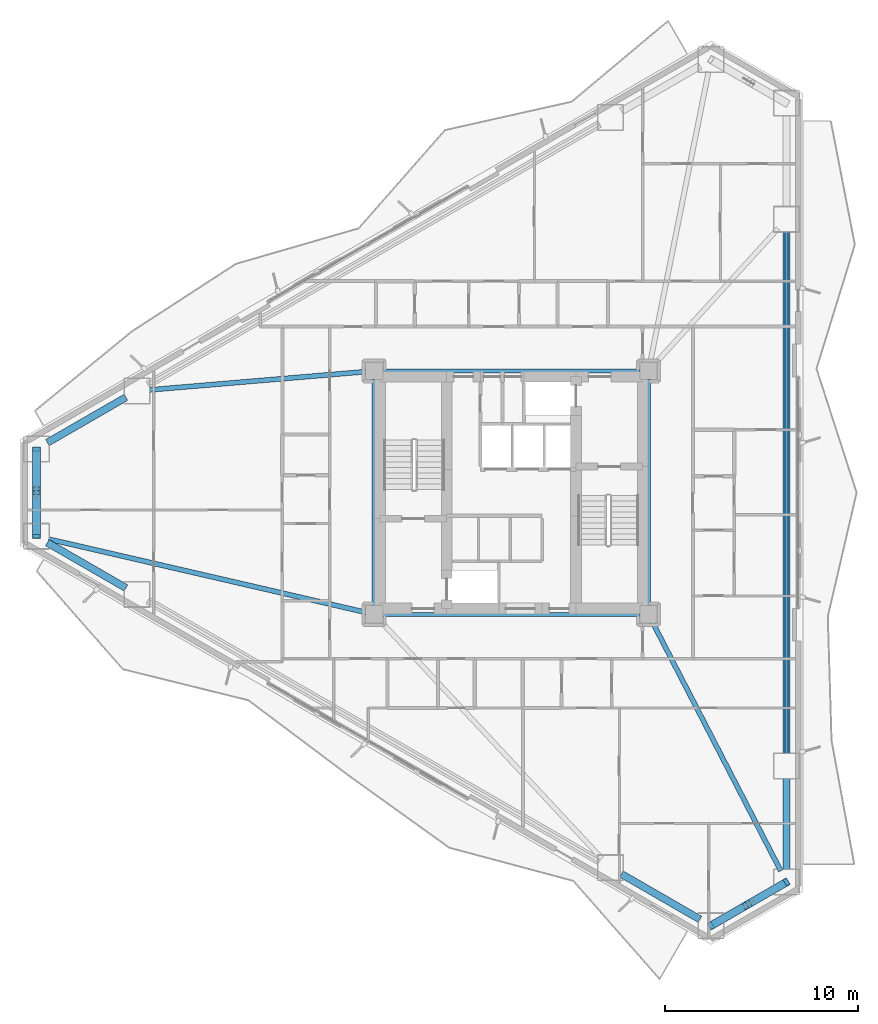
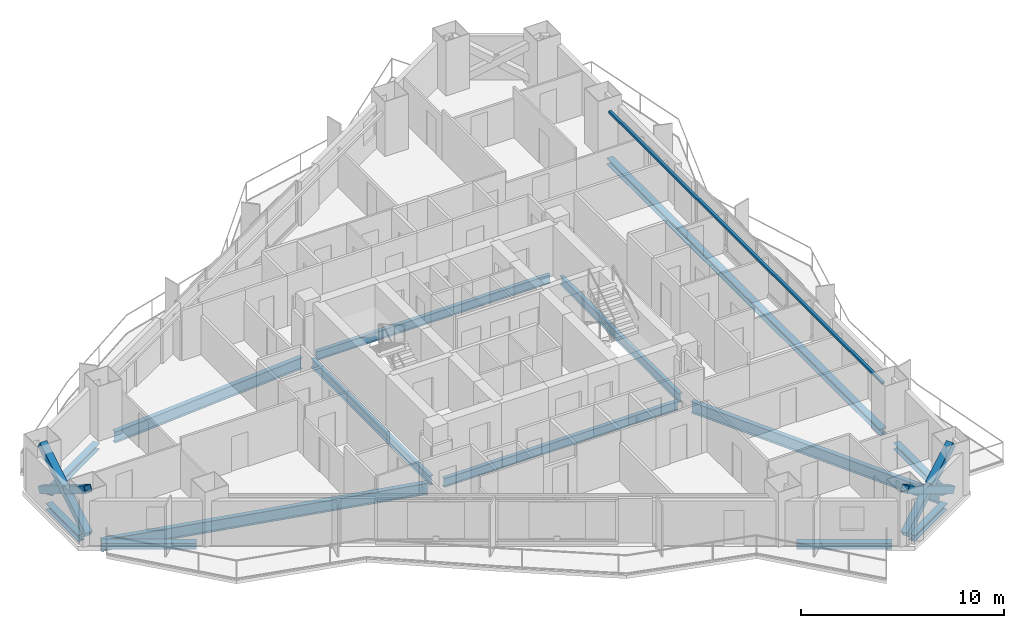
# One storey, part 5 of 19: 15 beams, 6 members.
"""IFC4 building model written with IfcOpenShell, lengths in metres."""

from ifc_helpers import new_model, si_unit, direction, frame, origin, origin_2d, place, context, subcontext, project, spatial, hollow_rectangle, i_section, extrude, material, material_profile, profile_set, type_object, element, save


model = new_model("IFC4")

# Units and contexts
model_context = context("Model", 3, precision=1e-05, world=origin(), true_north=direction((0.0, 1.0)))
body_context = subcontext(model_context, "Body", "Model", "MODEL_VIEW")
ifc_project = project(units=[si_unit("LENGTHUNIT", "METRE"), si_unit("AREAUNIT", "SQUARE_METRE"), si_unit("VOLUMEUNIT", "CUBIC_METRE"), si_unit("PLANEANGLEUNIT", "RADIAN"), si_unit("MASSUNIT", "GRAM", prefix="KILO")], contexts=[model_context])

# Site, building, storey
site_placement = place(None, origin())
site = spatial("IfcSite", under=ifc_project, at=site_placement, CompositionType="ELEMENT")
building_placement = place(site_placement, origin())
building = spatial("IfcBuilding", under=site, at=building_placement, Name="Mersakhor Tower and Convention Hall", CompositionType="ELEMENT")
storey_placement = place(building_placement, frame((0.0, 0.0, 22.5)))
storey = spatial("IfcBuildingStorey", under=building, at=storey_placement, Name="L05", CompositionType="ELEMENT", Elevation=22.5)

# Beams
ifc_material_1 = material(Name="Steel S355", Category="steel")
ifc_material_profile_1 = material_profile(ifc_material_1, i_section(OverallWidth=0.2099609375, OverallDepth=0.53662109375, WebThickness=0.0107421875, FlangeThickness=0.017333984375, at=origin_2d()), Name="UB 533x210x101")
ifc_profile_set_1 = profile_set([ifc_material_profile_1], Name="Steel S355")
beam_type_1 = type_object("IfcBeamType", Name="BM-FB-533", PredefinedType="BEAM", material=ifc_profile_set_1)
beam_1_placement = place(storey_placement, frame((21.89990234375, 20.8798828125, -0.5283203125), z_axis=(0.0, 1.0, 0.0), x_axis=(-1.0, 0.0, 0.0)))
element("IfcBeam", 1, at=beam_1_placement, inside=storey, type_object=beam_type_1, Name="L05 Core Ring Tie Beam CRB-1", PredefinedType="BEAM", context=body_context, shape_type="SweptSolid", body=[
    extrude(i_section(OverallWidth=0.2099609375, OverallDepth=0.53662109375, WebThickness=0.0107421875, FlangeThickness=0.017333984375, at=origin_2d()), origin(), (0.0, 0.0, 1.0), 11.740234375),
])
beam_2_placement = place(storey_placement, frame((22.330078125, 33.050048828125, -0.5283203125), z_axis=(1.0, 0.0, 0.0), x_axis=(0.0, 1.0, 0.0)))
element("IfcBeam", 2, at=beam_2_placement, inside=storey, type_object=beam_type_1, Name="L05 Core Ring Tie Beam CRB-2", PredefinedType="BEAM", context=body_context, shape_type="SweptSolid", body=[
    extrude(i_section(OverallWidth=0.2099609375, OverallDepth=0.53662109375, WebThickness=0.0107421875, FlangeThickness=0.017333984375, at=origin_2d()), origin(), (0.0, 0.0, 1.0), 13.33984375),
])
beam_3_placement = place(storey_placement, frame((36.10009765625, 32.6201171875, -0.5283203125), z_axis=(0.0, -1.0, 0.0), x_axis=(1.0, 0.0, 0.0)))
element("IfcBeam", 3, at=beam_3_placement, inside=storey, type_object=beam_type_1, Name="L05 Core Ring Tie Beam CRB-3", PredefinedType="BEAM", context=body_context, shape_type="SweptSolid", body=[
    extrude(i_section(OverallWidth=0.2099609375, OverallDepth=0.53662109375, WebThickness=0.0107421875, FlangeThickness=0.017333984375, at=origin_2d()), origin(), (0.0, 0.0, 1.0), 11.740234375),
])
beam_4_placement = place(storey_placement, frame((35.669921875, 20.449951171875, -0.5283203125), z_axis=(-1.0, 0.0, 0.0), x_axis=(0.0, -1.0, 0.0)))
element("IfcBeam", 4, at=beam_4_placement, inside=storey, type_object=beam_type_1, Name="L05 Core Ring Tie Beam CRB-4", PredefinedType="BEAM", context=body_context, shape_type="SweptSolid", body=[
    extrude(i_section(OverallWidth=0.2099609375, OverallDepth=0.53662109375, WebThickness=0.0107421875, FlangeThickness=0.017333984375, at=origin_2d()), origin(), (0.0, 0.0, 1.0), 13.33984375),
])
ifc_material_2 = material(Name="Steel S355", Category="steel")
ifc_material_profile_2 = material_profile(ifc_material_2, hollow_rectangle(XDim=0.14990234375, YDim=0.14990234375, WallThickness=0.010009765625, at=origin_2d()), Name="SHS 150x150x10")
ifc_profile_set_2 = profile_set([ifc_material_profile_2], Name="Steel S355")
beam_type_2 = type_object("IfcBeamType", Name="BM-GRT-SHS150", PredefinedType="USERDEFINED", material=ifc_profile_set_2)
beam_5_placement = place(storey_placement, frame((43.25, 40.24951171875, 2.47998046875), z_axis=(0.0, -1.0, 0.0), x_axis=(1.0, 0.0, 0.0)))
element("IfcBeam", 5, at=beam_5_placement, inside=storey, type_object=beam_type_2, Name="L05 Facade Support Girt GRT-F2", ObjectType="GIRT", PredefinedType="USERDEFINED", context=body_context, shape_type="SweptSolid", body=[
    extrude(hollow_rectangle(XDim=0.14990234375, YDim=0.14990234375, WallThickness=0.010009765625, at=origin_2d()), origin(), (0.0, 0.0, 1.0), 26.9990234375),
])
ifc_material_3 = material(Name="Steel S355", Category="steel")
ifc_material_profile_3 = material_profile(ifc_material_3, i_section(OverallWidth=0.25439453125, OverallDepth=0.6875, WebThickness=0.01318359375, FlangeThickness=0.02099609375, at=origin_2d()), Name="UB 686x254x152")
ifc_profile_set_3 = profile_set([ifc_material_profile_3], Name="Steel S355")
beam_type_3 = type_object("IfcBeamType", Name="BM-PR-686", PredefinedType="BEAM", material=ifc_profile_set_3)
beam_6_placement = place(storey_placement, frame((21.471435546875, 33.013916015625, -0.603759765625), z_axis=(-0.996458345442, -0.084087845732, 0.0), x_axis=(0.084087845732, -0.996458345442, 0.0)))
element("IfcBeam", 6, at=beam_6_placement, inside=storey, type_object=beam_type_3, Name="L05 Primary Floor Girder FG-1", PredefinedType="BEAM", context=body_context, shape_type="SweptSolid", body=[
    extrude(i_section(OverallWidth=0.25439453125, OverallDepth=0.6875, WebThickness=0.01318359375, FlangeThickness=0.02099609375, at=origin_2d()), origin(), (0.0, 0.0, 1.0), 11.241943359375),
])
beam_7_placement = place(storey_placement, frame((36.297119140625, 20.06787109375, -0.603759765625), z_axis=(0.458368239331, -0.888762373851, 0.0), x_axis=(0.888762373851, 0.458368239331, 0.0)))
element("IfcBeam", 7, at=beam_7_placement, inside=storey, type_object=beam_type_3, Name="L05 Primary Floor Girder FG-4", PredefinedType="BEAM", context=body_context, shape_type="SweptSolid", body=[
    extrude(i_section(OverallWidth=0.25439453125, OverallDepth=0.6875, WebThickness=0.01318359375, FlangeThickness=0.02099609375, at=origin_2d()), origin(), (0.0, 0.0, 1.0), 14.513671875),
])
beam_8_placement = place(storey_placement, frame((21.48095703125, 20.546875, -0.603759765625), z_axis=(-0.974327224334, 0.225136536175, 0.0), x_axis=(-0.225136536175, -0.974327224334, 0.0)))
element("IfcBeam", 8, at=beam_8_placement, inside=storey, type_object=beam_type_3, Name="L05 Primary Floor Girder FG-6", PredefinedType="BEAM", context=body_context, shape_type="SweptSolid", body=[
    extrude(i_section(OverallWidth=0.25439453125, OverallDepth=0.6875, WebThickness=0.01318359375, FlangeThickness=0.02099609375, at=origin_2d()), origin(), (0.0, 0.0, 1.0), 16.862548828125),
])
ifc_material_4 = material(Name="Steel S355", Category="steel")
ifc_material_profile_4 = material_profile(ifc_material_4, i_section(OverallWidth=0.374755859375, OverallDepth=0.37451171875, WebThickness=0.0166015625, FlangeThickness=0.027099609375, at=origin_2d()), Name="UC 356x368x202")
ifc_profile_set_4 = profile_set([ifc_material_profile_4], Name="Steel S355")
beam_type_4 = type_object("IfcBeamType", Name="BM-SPD-UC356", PredefinedType="SPANDREL", material=ifc_profile_set_4)
beam_9_placement = place(storey_placement, frame((4.980224609375, 29.3369140625, -0.447265625), z_axis=(0.86605407247, 0.499950341091, 0.0), x_axis=(-0.499950341091, 0.86605407247, 0.0)))
element("IfcBeam", 9, at=beam_9_placement, inside=storey, type_object=beam_type_4, Name="L05 Perimeter Spandrel Beam SPB-01", PredefinedType="SPANDREL", context=body_context, shape_type="SweptSolid", body=[
    extrude(i_section(OverallWidth=0.374755859375, OverallDepth=0.37451171875, WebThickness=0.0166015625, FlangeThickness=0.027099609375, at=origin_2d()), origin(), (0.0, 0.0, 1.0), 4.69873046875),
])
beam_10_placement = place(storey_placement, frame((43.25, 40.24951171875, -0.447265625), z_axis=(0.0, -1.0, 0.0), x_axis=(1.0, 0.0, 0.0)))
element("IfcBeam", 10, at=beam_10_placement, inside=storey, type_object=beam_type_4, Name="L05 Perimeter Spandrel Beam SPB-06", PredefinedType="SPANDREL", context=body_context, shape_type="SweptSolid", body=[
    extrude(i_section(OverallWidth=0.374755859375, OverallDepth=0.37451171875, WebThickness=0.0166015625, FlangeThickness=0.027099609375, at=origin_2d()), origin(), (0.0, 0.0, 1.0), 26.9990234375),
])
beam_11_placement = place(storey_placement, frame((43.25, 11.9404296875, -0.447265625), z_axis=(0.0, -1.0, 0.0), x_axis=(1.0, 0.0, 0.0)))
element("IfcBeam", 11, at=beam_11_placement, inside=storey, type_object=beam_type_4, Name="L05 Perimeter Spandrel Beam SPB-07", PredefinedType="SPANDREL", context=body_context, shape_type="SweptSolid", body=[
    extrude(i_section(OverallWidth=0.374755859375, OverallDepth=0.37451171875, WebThickness=0.0166015625, FlangeThickness=0.027099609375, at=origin_2d()), origin(), (0.0, 0.0, 1.0), 4.69873046875),
])
beam_12_placement = place(storey_placement, frame((42.682861328125, 6.25927734375, -0.447265625), z_axis=(-0.866038607556, -0.4999771297, 0.0), x_axis=(0.4999771297, -0.866038607556, 0.0)))
element("IfcBeam", 12, at=beam_12_placement, inside=storey, type_object=beam_type_4, Name="L05 Perimeter Spandrel Beam SPB-08", PredefinedType="SPANDREL", context=body_context, shape_type="SweptSolid", body=[
    extrude(i_section(OverallWidth=0.374755859375, OverallDepth=0.37451171875, WebThickness=0.0166015625, FlangeThickness=0.027099609375, at=origin_2d()), origin(), (0.0, 0.0, 1.0), 3.208740234375),
])
for number, where, z_axis, x_axis, name in (
    (13, (38.769775390625, 4.655029296875, -0.447265625), (-0.866031574723, 0.499989311469, 0.0), (-0.499989311469, -0.866031574723, 0.0), "L05 Perimeter Spandrel Beam SPB-09"),
    (14, (9.049560546875, 21.81396484375, -0.447265625), (-0.86605407247, 0.499950341091, 0.0), (-0.499950341091, -0.86605407247, 0.0), "L05 Perimeter Spandrel Beam SPB-11"),
):
    element("IfcBeam", number, at=place(storey_placement, frame(where, z_axis=z_axis, x_axis=x_axis)), inside=storey, type_object=beam_type_4, Name=name, PredefinedType="SPANDREL", context=body_context, shape_type="SweptSolid", body=[
        extrude(i_section(OverallWidth=0.374755859375, OverallDepth=0.37451171875, WebThickness=0.0166015625, FlangeThickness=0.027099609375, at=origin_2d()), origin(), (0.0, 0.0, 1.0), 4.69873046875),
    ])
beam_13_placement = place(storey_placement, frame((4.4130859375, 25.145751953125, -0.447265625), z_axis=(0.0, 1.0, 0.0), x_axis=(-1.0, 0.0, 0.0)))
element("IfcBeam", 15, at=beam_13_placement, inside=storey, type_object=beam_type_4, Name="L05 Perimeter Spandrel Beam SPB-12", PredefinedType="SPANDREL", context=body_context, shape_type="SweptSolid", body=[
    extrude(i_section(OverallWidth=0.374755859375, OverallDepth=0.37451171875, WebThickness=0.0166015625, FlangeThickness=0.027099609375, at=origin_2d()), origin(), (0.0, 0.0, 1.0), 3.20849609375),
])

# Members
ifc_material_5 = material(Name="Steel S460", Category="steel")
ifc_material_profile_5 = material_profile(ifc_material_5, hollow_rectangle(XDim=0.39990234375, YDim=0.39990234375, WallThickness=0.02490234375, at=origin_2d()), Name="SHS 400x400x25")
ifc_profile_set_5 = profile_set([ifc_material_profile_5], Name="Steel S460")
member_type = type_object("IfcMemberType", Name="MB-BRC-SHS400", PredefinedType="BRACE", material=ifc_profile_set_5)
member_1_placement = place(storey_placement, frame((43.25, 6.586669921875, 0.14990234375), z_axis=(-0.740507772322, -0.427542982597, 0.518512523632), x_axis=(0.500009315796, -0.86602002524, 0.0)))
element("IfcMember", 16, at=member_1_placement, inside=storey, type_object=member_type, Name="L05 Chamfer Braced Frame Diagonal CB-2A", PredefinedType="BRACE", context=body_context, shape_type="SweptSolid", body=[
    extrude(hollow_rectangle(XDim=0.39990234375, YDim=0.39990234375, WallThickness=0.02490234375, at=origin_2d()), origin(), (0.0, 0.0, 1.0), 5.284423828125),
])
member_2_placement = place(storey_placement, frame((39.3369140625, 4.327392578125, 0.14990234375), z_axis=(0.740473193976, 0.427601478974, 0.51851366827), x_axis=(-0.500078132948, 0.865980289006, 0.0)))
element("IfcMember", 17, at=member_2_placement, inside=storey, type_object=member_type, Name="L05 Chamfer Braced Frame Diagonal CB-2B Lower Half", PredefinedType="BRACE", context=body_context, shape_type="SweptSolid", body=[
    extrude(hollow_rectangle(XDim=0.39990234375, YDim=0.39990234375, WallThickness=0.02490234375, at=origin_2d()), origin(), (0.0, 0.0, 1.0), 2.408935546875),
])
member_3_placement = place(storey_placement, frame((41.46630859375, 5.556884765625, 1.64111328125), z_axis=(0.740544200614, 0.427541122117, 0.51846202931), x_axis=(-0.499989236795, 0.866031617834, 0.0)))
element("IfcMember", 18, at=member_3_placement, inside=storey, type_object=member_type, Name="L05 Chamfer Braced Frame Diagonal CB-2B Upper Half", PredefinedType="BRACE", context=body_context, shape_type="SweptSolid", body=[
    extrude(hollow_rectangle(XDim=0.39990234375, YDim=0.39990234375, WallThickness=0.02490234375, at=origin_2d()), origin(), (0.0, 0.0, 1.0), 2.40869140625),
])
member_4_placement = place(storey_placement, frame((4.4130859375, 24.49072265625, 0.14990234375), z_axis=(0.0, 0.855074317009, 0.51850546033), x_axis=(-1.0, 0.0, 0.0)))
element("IfcMember", 19, at=member_4_placement, inside=storey, type_object=member_type, Name="L05 Chamfer Braced Frame Diagonal CB-3A", PredefinedType="BRACE", context=body_context, shape_type="SweptSolid", body=[
    extrude(hollow_rectangle(XDim=0.39990234375, YDim=0.39990234375, WallThickness=0.02490234375, at=origin_2d()), origin(), (0.0, 0.0, 1.0), 5.284423828125),
])
for number, where, z_axis, x_axis, name in (
    (20, (4.4130859375, 29.00927734375, 0.14990234375), (0.0, -0.855050764291, 0.518544299444), (1.0, 0.0, 0.0), "L05 Chamfer Braced Frame Diagonal CB-3B Lower Half"),
    (21, (4.4130859375, 26.55029296875, 1.64111328125), (0.0, -0.855095703444, 0.518470190032), (1.0, 0.0, 0.0), "L05 Chamfer Braced Frame Diagonal CB-3B Upper Half"),
):
    element("IfcMember", number, at=place(storey_placement, frame(where, z_axis=z_axis, x_axis=x_axis)), inside=storey, type_object=member_type, Name=name, PredefinedType="BRACE", context=body_context, shape_type="SweptSolid", body=[
        extrude(hollow_rectangle(XDim=0.39990234375, YDim=0.39990234375, WallThickness=0.02490234375, at=origin_2d()), origin(), (0.0, 0.0, 1.0), 2.40869140625),
    ])

save(model, "model.ifc")
